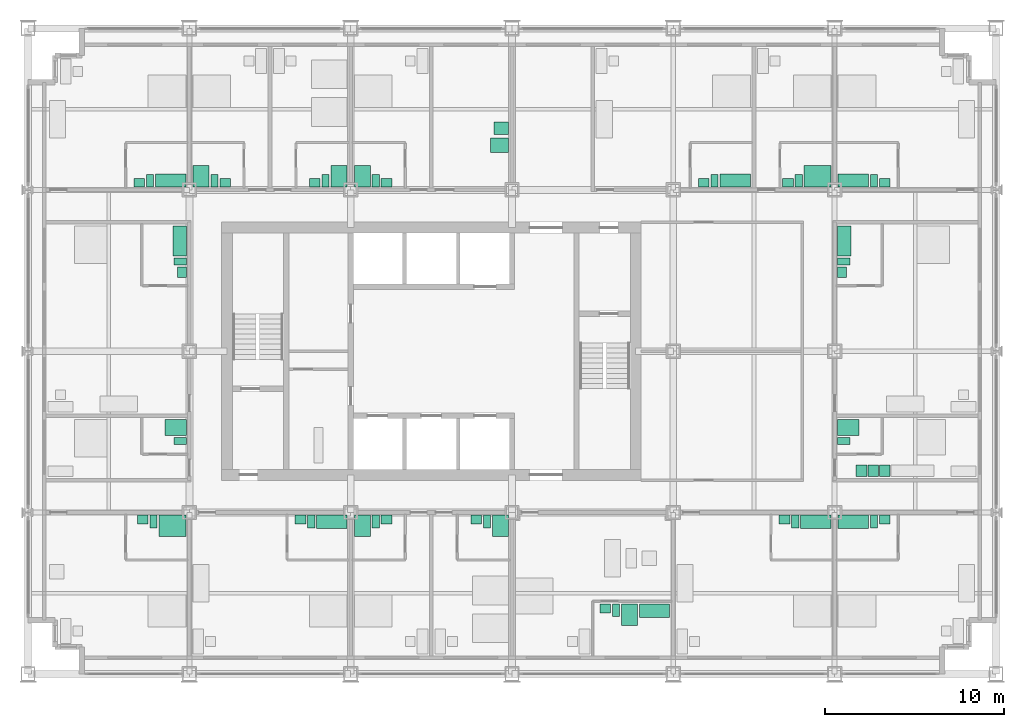
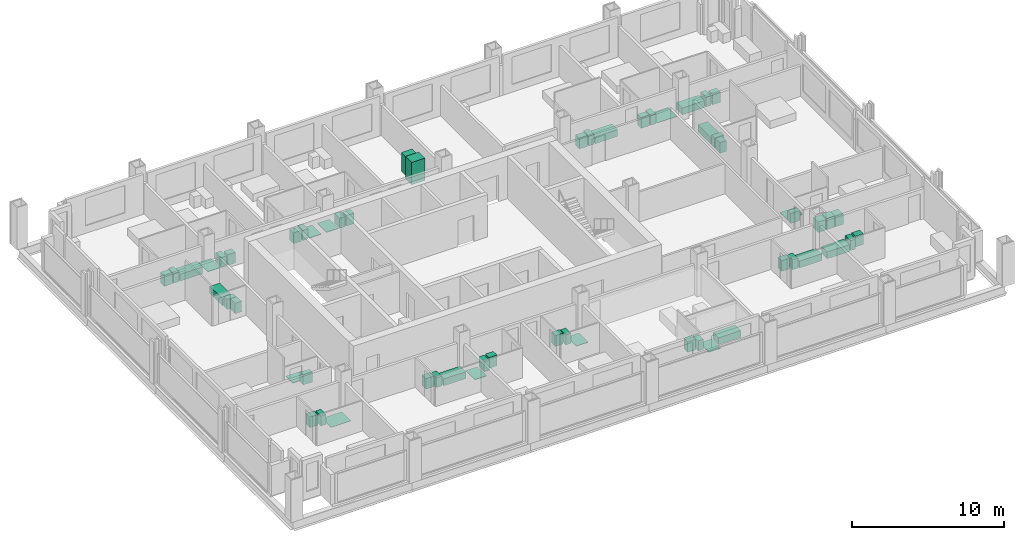
# One storey, part 17 of 18: 53 sanitary terminals, 5 electric appliances.
"""IFC4 building model written with IfcOpenShell, lengths in metres."""

from ifc_helpers import new_model, si_unit, direction, frame, origin, origin_2d, place, context, subcontext, project, spatial, rectangle, extrude, element, save


model = new_model("IFC4")

# Units and contexts
model_context = context("Model", 3, precision=1e-05, world=origin(), true_north=direction((0.0, 1.0)))
body_context = subcontext(model_context, "Body", "Model", "MODEL_VIEW")
ifc_project = project(units=[si_unit("LENGTHUNIT", "METRE"), si_unit("AREAUNIT", "SQUARE_METRE"), si_unit("VOLUMEUNIT", "CUBIC_METRE"), si_unit("PLANEANGLEUNIT", "RADIAN"), si_unit("MASSUNIT", "GRAM", prefix="KILO")], contexts=[model_context])

# Site, building, storey
site_placement = place(None, origin())
site = spatial("IfcSite", under=ifc_project, at=site_placement, CompositionType="ELEMENT")
building_placement = place(site_placement, origin())
building = spatial("IfcBuilding", under=site, at=building_placement, Name="Loomwork Tower", CompositionType="ELEMENT")
storey_placement = place(building_placement, frame((0.0, 0.0, 65.39990234375)))
storey = spatial("IfcBuildingStorey", under=building, at=storey_placement, Name="L16", CompositionType="ELEMENT", Elevation=65.39990234375)

# Sanitary terminals
sanitary_terminal_1_placement = place(storey_placement, frame((8.050048828125, 8.25, 0.0), z_axis=(0.0, 0.0, 1.0), x_axis=(1.0, 0.0, 0.0)))
element("IfcSanitaryTerminal", 1, at=sanitary_terminal_1_placement, inside=storey, Name="Roll-in shower floor L16", PredefinedType="SHOWER", context=body_context, shape_type="SweptSolid", body=[
    extrude(rectangle(XDim=1.5, YDim=1.199951171875, at=origin_2d()), origin(), (0.0, 0.0, 1.0), 0.030029296875),
])
sanitary_terminal_2_placement = place(storey_placement, frame((7.0, 8.5, 0.0), z_axis=(0.0, 0.0, 1.0), x_axis=(1.0, 0.0, 0.0)))
element("IfcSanitaryTerminal", 2, at=sanitary_terminal_2_placement, inside=storey, Name="WC L16", PredefinedType="TOILETPAN", context=body_context, shape_type="SweptSolid", body=[
    extrude(rectangle(XDim=0.39990234375, YDim=0.699951171875, at=origin_2d()), origin(), (0.0, 0.0, 1.0), 0.800048828125),
])
sanitary_terminal_3_placement = place(storey_placement, frame((6.39990234375, 8.60009765625, 0.0), z_axis=(0.0, 0.0, 1.0), x_axis=(1.0, 0.0, 0.0)))
element("IfcSanitaryTerminal", 3, at=sanitary_terminal_3_placement, inside=storey, Name="Basin vanity L16", PredefinedType="WASHHANDBASIN", context=body_context, shape_type="SweptSolid", body=[
    extrude(rectangle(XDim=0.60009765625, YDim=0.5, at=origin_2d()), origin(), (0.0, 0.0, 1.0), 0.85009765625),
])
sanitary_terminal_4_placement = place(storey_placement, frame((16.949951171875, 8.47509765625, 0.0), z_axis=(0.0, 0.0, 1.0), x_axis=(1.0, 0.0, 0.0)))
element("IfcSanitaryTerminal", 4, at=sanitary_terminal_4_placement, inside=storey, Name="Bath L16", PredefinedType="BATH", context=body_context, shape_type="SweptSolid", body=[
    extrude(rectangle(XDim=1.699951171875, YDim=0.75, at=origin_2d()), origin(), (0.0, 0.0, 1.0), 0.550048828125),
])
sanitary_terminal_5_placement = place(storey_placement, frame((15.800048828125, 8.5, 0.0), z_axis=(0.0, 0.0, 1.0), x_axis=(1.0, 0.0, 0.0)))
element("IfcSanitaryTerminal", 5, at=sanitary_terminal_5_placement, inside=storey, Name="WC L16", PredefinedType="TOILETPAN", context=body_context, shape_type="SweptSolid", body=[
    extrude(rectangle(XDim=0.39990234375, YDim=0.699951171875, at=origin_2d()), origin(), (0.0, 0.0, 1.0), 0.800048828125),
])
sanitary_terminal_6_placement = place(storey_placement, frame((15.199951171875, 8.60009765625, 0.0), z_axis=(0.0, 0.0, 1.0), x_axis=(1.0, 0.0, 0.0)))
element("IfcSanitaryTerminal", 6, at=sanitary_terminal_6_placement, inside=storey, Name="Basin vanity L16", PredefinedType="WASHHANDBASIN", context=body_context, shape_type="SweptSolid", body=[
    extrude(rectangle(XDim=0.60009765625, YDim=0.5, at=origin_2d()), origin(), (0.0, 0.0, 1.0), 0.85009765625),
])
sanitary_terminal_7_placement = place(storey_placement, frame((18.64990234375, 8.25, 0.0), z_axis=(0.0, 0.0, 1.0), x_axis=(1.0, 0.0, 0.0)))
element("IfcSanitaryTerminal", 7, at=sanitary_terminal_7_placement, inside=storey, Name="Shower tray L16", PredefinedType="SHOWER", context=body_context, shape_type="SweptSolid", body=[
    extrude(rectangle(XDim=0.89990234375, YDim=1.199951171875, at=origin_2d()), origin(), (0.0, 0.0, 1.0), 0.050048828125),
])
sanitary_terminal_8_placement = place(storey_placement, frame((19.39990234375, 8.5, 0.0), z_axis=(0.0, 0.0, 1.0), x_axis=(1.0, 0.0, 0.0)))
element("IfcSanitaryTerminal", 8, at=sanitary_terminal_8_placement, inside=storey, Name="WC L16", PredefinedType="TOILETPAN", context=body_context, shape_type="SweptSolid", body=[
    extrude(rectangle(XDim=0.39990234375, YDim=0.699951171875, at=origin_2d()), origin(), (0.0, 0.0, 1.0), 0.800048828125),
])
sanitary_terminal_9_placement = place(storey_placement, frame((20.0, 8.60009765625, 0.0), z_axis=(0.0, 0.0, 1.0), x_axis=(1.0, 0.0, 0.0)))
element("IfcSanitaryTerminal", 9, at=sanitary_terminal_9_placement, inside=storey, Name="Basin vanity L16", PredefinedType="WASHHANDBASIN", context=body_context, shape_type="SweptSolid", body=[
    extrude(rectangle(XDim=0.60009765625, YDim=0.5, at=origin_2d()), origin(), (0.0, 0.0, 1.0), 0.85009765625),
])
sanitary_terminal_10_placement = place(storey_placement, frame((26.35009765625, 8.25, 0.0), z_axis=(0.0, 0.0, 1.0), x_axis=(1.0, 0.0, 0.0)))
element("IfcSanitaryTerminal", 10, at=sanitary_terminal_10_placement, inside=storey, Name="Shower tray L16", PredefinedType="SHOWER", context=body_context, shape_type="SweptSolid", body=[
    extrude(rectangle(XDim=0.89990234375, YDim=1.199951171875, at=origin_2d()), origin(), (0.0, 0.0, 1.0), 0.050048828125),
])
sanitary_terminal_11_placement = place(storey_placement, frame((25.60009765625, 8.5, 0.0), z_axis=(0.0, 0.0, 1.0), x_axis=(1.0, 0.0, 0.0)))
element("IfcSanitaryTerminal", 11, at=sanitary_terminal_11_placement, inside=storey, Name="WC L16", PredefinedType="TOILETPAN", context=body_context, shape_type="SweptSolid", body=[
    extrude(rectangle(XDim=0.39990234375, YDim=0.699951171875, at=origin_2d()), origin(), (0.0, 0.0, 1.0), 0.800048828125),
])
sanitary_terminal_12_placement = place(storey_placement, frame((25.0, 8.60009765625, 0.0), z_axis=(0.0, 0.0, 1.0), x_axis=(1.0, 0.0, 0.0)))
element("IfcSanitaryTerminal", 12, at=sanitary_terminal_12_placement, inside=storey, Name="Basin vanity L16", PredefinedType="WASHHANDBASIN", context=body_context, shape_type="SweptSolid", body=[
    extrude(rectangle(XDim=0.60009765625, YDim=0.5, at=origin_2d()), origin(), (0.0, 0.0, 1.0), 0.85009765625),
])
sanitary_terminal_13_placement = place(storey_placement, frame((34.949951171875, 3.52490234375, 0.0), z_axis=(0.0, 0.0, 1.0), x_axis=(1.0, 0.0, 0.0)))
element("IfcSanitaryTerminal", 13, at=sanitary_terminal_13_placement, inside=storey, Name="Bath L16", PredefinedType="BATH", context=body_context, shape_type="SweptSolid", body=[
    extrude(rectangle(XDim=1.699951171875, YDim=0.75, at=origin_2d()), origin(), (0.0, 0.0, 1.0), 0.550048828125),
])
sanitary_terminal_14_placement = place(storey_placement, frame((33.550048828125, 3.300048828125, 0.0), z_axis=(0.0, 0.0, 1.0), x_axis=(1.0, 0.0, 0.0)))
element("IfcSanitaryTerminal", 14, at=sanitary_terminal_14_placement, inside=storey, Name="Shower tray L16", PredefinedType="SHOWER", context=body_context, shape_type="SweptSolid", body=[
    extrude(rectangle(XDim=0.89990234375, YDim=1.199951171875, at=origin_2d()), origin(), (0.0, 0.0, 1.0), 0.050048828125),
])
sanitary_terminal_15_placement = place(storey_placement, frame((32.800048828125, 3.550048828125, 0.0), z_axis=(0.0, 0.0, 1.0), x_axis=(1.0, 0.0, 0.0)))
element("IfcSanitaryTerminal", 15, at=sanitary_terminal_15_placement, inside=storey, Name="WC L16", PredefinedType="TOILETPAN", context=body_context, shape_type="SweptSolid", body=[
    extrude(rectangle(XDim=0.39990234375, YDim=0.699951171875, at=origin_2d()), origin(), (0.0, 0.0, 1.0), 0.800048828125),
])
sanitary_terminal_16_placement = place(storey_placement, frame((32.199951171875, 3.64990234375, 0.0), z_axis=(0.0, 0.0, 1.0), x_axis=(1.0, 0.0, 0.0)))
element("IfcSanitaryTerminal", 16, at=sanitary_terminal_16_placement, inside=storey, Name="Basin vanity L16", PredefinedType="WASHHANDBASIN", context=body_context, shape_type="SweptSolid", body=[
    extrude(rectangle(XDim=0.60009765625, YDim=0.5, at=origin_2d()), origin(), (0.0, 0.0, 1.0), 0.85009765625),
])
sanitary_terminal_17_placement = place(storey_placement, frame((43.949951171875, 8.47509765625, 0.0), z_axis=(0.0, 0.0, 1.0), x_axis=(1.0, 0.0, 0.0)))
element("IfcSanitaryTerminal", 17, at=sanitary_terminal_17_placement, inside=storey, Name="Bath L16", PredefinedType="BATH", context=body_context, shape_type="SweptSolid", body=[
    extrude(rectangle(XDim=1.699951171875, YDim=0.75, at=origin_2d()), origin(), (0.0, 0.0, 1.0), 0.550048828125),
])
sanitary_terminal_18_placement = place(storey_placement, frame((42.800048828125, 8.5, 0.0), z_axis=(0.0, 0.0, 1.0), x_axis=(1.0, 0.0, 0.0)))
element("IfcSanitaryTerminal", 18, at=sanitary_terminal_18_placement, inside=storey, Name="WC L16", PredefinedType="TOILETPAN", context=body_context, shape_type="SweptSolid", body=[
    extrude(rectangle(XDim=0.39990234375, YDim=0.699951171875, at=origin_2d()), origin(), (0.0, 0.0, 1.0), 0.800048828125),
])
sanitary_terminal_19_placement = place(storey_placement, frame((42.199951171875, 8.60009765625, 0.0), z_axis=(0.0, 0.0, 1.0), x_axis=(1.0, 0.0, 0.0)))
element("IfcSanitaryTerminal", 19, at=sanitary_terminal_19_placement, inside=storey, Name="Basin vanity L16", PredefinedType="WASHHANDBASIN", context=body_context, shape_type="SweptSolid", body=[
    extrude(rectangle(XDim=0.60009765625, YDim=0.5, at=origin_2d()), origin(), (0.0, 0.0, 1.0), 0.85009765625),
])
sanitary_terminal_20_placement = place(storey_placement, frame((46.050048828125, 8.47509765625, 0.0), z_axis=(0.0, 0.0, 1.0), x_axis=(1.0, 0.0, 0.0)))
element("IfcSanitaryTerminal", 20, at=sanitary_terminal_20_placement, inside=storey, Name="Bath L16", PredefinedType="BATH", context=body_context, shape_type="SweptSolid", body=[
    extrude(rectangle(XDim=1.699951171875, YDim=0.75, at=origin_2d()), origin(), (0.0, 0.0, 1.0), 0.550048828125),
])
sanitary_terminal_21_placement = place(storey_placement, frame((47.199951171875, 8.5, 0.0), z_axis=(0.0, 0.0, 1.0), x_axis=(1.0, 0.0, 0.0)))
element("IfcSanitaryTerminal", 21, at=sanitary_terminal_21_placement, inside=storey, Name="WC L16", PredefinedType="TOILETPAN", context=body_context, shape_type="SweptSolid", body=[
    extrude(rectangle(XDim=0.39990234375, YDim=0.699951171875, at=origin_2d()), origin(), (0.0, 0.0, 1.0), 0.800048828125),
])
sanitary_terminal_22_placement = place(storey_placement, frame((47.800048828125, 8.60009765625, 0.0), z_axis=(0.0, 0.0, 1.0), x_axis=(1.0, 0.0, 0.0)))
element("IfcSanitaryTerminal", 22, at=sanitary_terminal_22_placement, inside=storey, Name="Basin vanity L16", PredefinedType="WASHHANDBASIN", context=body_context, shape_type="SweptSolid", body=[
    extrude(rectangle(XDim=0.60009765625, YDim=0.5, at=origin_2d()), origin(), (0.0, 0.0, 1.0), 0.85009765625),
])
sanitary_terminal_23_placement = place(storey_placement, frame((7.949951171875, 27.52490234375, 0.0), z_axis=(0.0, 0.0, 1.0), x_axis=(1.0, 0.0, 0.0)))
element("IfcSanitaryTerminal", 23, at=sanitary_terminal_23_placement, inside=storey, Name="Bath L16", PredefinedType="BATH", context=body_context, shape_type="SweptSolid", body=[
    extrude(rectangle(XDim=1.699951171875, YDim=0.75, at=origin_2d()), origin(), (0.0, 0.0, 1.0), 0.550048828125),
])
sanitary_terminal_24_placement = place(storey_placement, frame((6.800048828125, 27.5, 0.0), z_axis=(0.0, 0.0, 1.0), x_axis=(1.0, 0.0, 0.0)))
element("IfcSanitaryTerminal", 24, at=sanitary_terminal_24_placement, inside=storey, Name="WC L16", PredefinedType="TOILETPAN", context=body_context, shape_type="SweptSolid", body=[
    extrude(rectangle(XDim=0.39990234375, YDim=0.699951171875, at=origin_2d()), origin(), (0.0, 0.0, 1.0), 0.800048828125),
])
sanitary_terminal_25_placement = place(storey_placement, frame((6.199951171875, 27.39990234375, 0.0), z_axis=(0.0, 0.0, 1.0), x_axis=(1.0, 0.0, 0.0)))
element("IfcSanitaryTerminal", 25, at=sanitary_terminal_25_placement, inside=storey, Name="Basin vanity L16", PredefinedType="WASHHANDBASIN", context=body_context, shape_type="SweptSolid", body=[
    extrude(rectangle(XDim=0.60009765625, YDim=0.5, at=origin_2d()), origin(), (0.0, 0.0, 1.0), 0.85009765625),
])
sanitary_terminal_26_placement = place(storey_placement, frame((9.64990234375, 27.75, 0.0), z_axis=(0.0, 0.0, 1.0), x_axis=(1.0, 0.0, 0.0)))
element("IfcSanitaryTerminal", 26, at=sanitary_terminal_26_placement, inside=storey, Name="Shower tray L16", PredefinedType="SHOWER", context=body_context, shape_type="SweptSolid", body=[
    extrude(rectangle(XDim=0.89990234375, YDim=1.199951171875, at=origin_2d()), origin(), (0.0, 0.0, 1.0), 0.050048828125),
])
sanitary_terminal_27_placement = place(storey_placement, frame((10.39990234375, 27.5, 0.0), z_axis=(0.0, 0.0, 1.0), x_axis=(1.0, 0.0, 0.0)))
element("IfcSanitaryTerminal", 27, at=sanitary_terminal_27_placement, inside=storey, Name="WC L16", PredefinedType="TOILETPAN", context=body_context, shape_type="SweptSolid", body=[
    extrude(rectangle(XDim=0.39990234375, YDim=0.699951171875, at=origin_2d()), origin(), (0.0, 0.0, 1.0), 0.800048828125),
])
sanitary_terminal_28_placement = place(storey_placement, frame((11.0, 27.39990234375, 0.0), z_axis=(0.0, 0.0, 1.0), x_axis=(1.0, 0.0, 0.0)))
element("IfcSanitaryTerminal", 28, at=sanitary_terminal_28_placement, inside=storey, Name="Basin vanity L16", PredefinedType="WASHHANDBASIN", context=body_context, shape_type="SweptSolid", body=[
    extrude(rectangle(XDim=0.60009765625, YDim=0.5, at=origin_2d()), origin(), (0.0, 0.0, 1.0), 0.85009765625),
])
sanitary_terminal_29_placement = place(storey_placement, frame((17.35009765625, 27.75, 0.0), z_axis=(0.0, 0.0, 1.0), x_axis=(1.0, 0.0, 0.0)))
element("IfcSanitaryTerminal", 29, at=sanitary_terminal_29_placement, inside=storey, Name="Shower tray L16", PredefinedType="SHOWER", context=body_context, shape_type="SweptSolid", body=[
    extrude(rectangle(XDim=0.89990234375, YDim=1.199951171875, at=origin_2d()), origin(), (0.0, 0.0, 1.0), 0.050048828125),
])
sanitary_terminal_30_placement = place(storey_placement, frame((16.60009765625, 27.5, 0.0), z_axis=(0.0, 0.0, 1.0), x_axis=(1.0, 0.0, 0.0)))
element("IfcSanitaryTerminal", 30, at=sanitary_terminal_30_placement, inside=storey, Name="WC L16", PredefinedType="TOILETPAN", context=body_context, shape_type="SweptSolid", body=[
    extrude(rectangle(XDim=0.39990234375, YDim=0.699951171875, at=origin_2d()), origin(), (0.0, 0.0, 1.0), 0.800048828125),
])
sanitary_terminal_31_placement = place(storey_placement, frame((16.0, 27.39990234375, 0.0), z_axis=(0.0, 0.0, 1.0), x_axis=(1.0, 0.0, 0.0)))
element("IfcSanitaryTerminal", 31, at=sanitary_terminal_31_placement, inside=storey, Name="Basin vanity L16", PredefinedType="WASHHANDBASIN", context=body_context, shape_type="SweptSolid", body=[
    extrude(rectangle(XDim=0.60009765625, YDim=0.5, at=origin_2d()), origin(), (0.0, 0.0, 1.0), 0.85009765625),
])
sanitary_terminal_32_placement = place(storey_placement, frame((18.64990234375, 27.75, 0.0), z_axis=(0.0, 0.0, 1.0), x_axis=(1.0, 0.0, 0.0)))
element("IfcSanitaryTerminal", 32, at=sanitary_terminal_32_placement, inside=storey, Name="Shower tray L16", PredefinedType="SHOWER", context=body_context, shape_type="SweptSolid", body=[
    extrude(rectangle(XDim=0.89990234375, YDim=1.199951171875, at=origin_2d()), origin(), (0.0, 0.0, 1.0), 0.050048828125),
])
sanitary_terminal_33_placement = place(storey_placement, frame((19.39990234375, 27.5, 0.0), z_axis=(0.0, 0.0, 1.0), x_axis=(1.0, 0.0, 0.0)))
element("IfcSanitaryTerminal", 33, at=sanitary_terminal_33_placement, inside=storey, Name="WC L16", PredefinedType="TOILETPAN", context=body_context, shape_type="SweptSolid", body=[
    extrude(rectangle(XDim=0.39990234375, YDim=0.699951171875, at=origin_2d()), origin(), (0.0, 0.0, 1.0), 0.800048828125),
])
sanitary_terminal_34_placement = place(storey_placement, frame((20.0, 27.39990234375, 0.0), z_axis=(0.0, 0.0, 1.0), x_axis=(1.0, 0.0, 0.0)))
element("IfcSanitaryTerminal", 34, at=sanitary_terminal_34_placement, inside=storey, Name="Basin vanity L16", PredefinedType="WASHHANDBASIN", context=body_context, shape_type="SweptSolid", body=[
    extrude(rectangle(XDim=0.60009765625, YDim=0.5, at=origin_2d()), origin(), (0.0, 0.0, 1.0), 0.85009765625),
])

# Electric appliances
electric_appliance_1_placement = place(storey_placement, frame((26.300048828125, 29.5, 0.0), z_axis=(0.0, 0.0, 1.0), x_axis=(1.0, 0.0, 0.0)))
element("IfcElectricAppliance", 35, at=electric_appliance_1_placement, inside=storey, Name="Vending machine L16", PredefinedType="VENDINGMACHINE", context=body_context, shape_type="SweptSolid", body=[
    extrude(rectangle(XDim=1.0, YDim=0.800048828125, at=origin_2d()), origin(), (0.0, 0.0, 1.0), 1.800048828125),
])
electric_appliance_2_placement = place(storey_placement, frame((26.39990234375, 30.449951171875, 0.0), z_axis=(0.0, 0.0, 1.0), x_axis=(1.0, 0.0, 0.0)))
element("IfcElectricAppliance", 36, at=electric_appliance_2_placement, inside=storey, Name="Ice machine L16", PredefinedType="FREEZER", context=body_context, shape_type="SweptSolid", body=[
    extrude(rectangle(XDim=0.800048828125, YDim=0.699951171875, at=origin_2d()), origin(), (0.0, 0.0, 1.0), 1.5),
])

# Sanitary terminals
sanitary_terminal_35_placement = place(storey_placement, frame((39.449951171875, 27.52490234375, 0.0), z_axis=(0.0, 0.0, 1.0), x_axis=(1.0, 0.0, 0.0)))
element("IfcSanitaryTerminal", 37, at=sanitary_terminal_35_placement, inside=storey, Name="Bath L16", PredefinedType="BATH", context=body_context, shape_type="SweptSolid", body=[
    extrude(rectangle(XDim=1.699951171875, YDim=0.75, at=origin_2d()), origin(), (0.0, 0.0, 1.0), 0.550048828125),
])
sanitary_terminal_36_placement = place(storey_placement, frame((38.300048828125, 27.5, 0.0), z_axis=(0.0, 0.0, 1.0), x_axis=(1.0, 0.0, 0.0)))
element("IfcSanitaryTerminal", 38, at=sanitary_terminal_36_placement, inside=storey, Name="WC L16", PredefinedType="TOILETPAN", context=body_context, shape_type="SweptSolid", body=[
    extrude(rectangle(XDim=0.39990234375, YDim=0.699951171875, at=origin_2d()), origin(), (0.0, 0.0, 1.0), 0.800048828125),
])
sanitary_terminal_37_placement = place(storey_placement, frame((37.699951171875, 27.39990234375, 0.0), z_axis=(0.0, 0.0, 1.0), x_axis=(1.0, 0.0, 0.0)))
element("IfcSanitaryTerminal", 39, at=sanitary_terminal_37_placement, inside=storey, Name="Basin vanity L16", PredefinedType="WASHHANDBASIN", context=body_context, shape_type="SweptSolid", body=[
    extrude(rectangle(XDim=0.60009765625, YDim=0.5, at=origin_2d()), origin(), (0.0, 0.0, 1.0), 0.85009765625),
])
sanitary_terminal_38_placement = place(storey_placement, frame((44.050048828125, 27.75, 0.0), z_axis=(0.0, 0.0, 1.0), x_axis=(1.0, 0.0, 0.0)))
element("IfcSanitaryTerminal", 40, at=sanitary_terminal_38_placement, inside=storey, Name="Roll-in shower floor L16", PredefinedType="SHOWER", context=body_context, shape_type="SweptSolid", body=[
    extrude(rectangle(XDim=1.5, YDim=1.199951171875, at=origin_2d()), origin(), (0.0, 0.0, 1.0), 0.030029296875),
])
sanitary_terminal_39_placement = place(storey_placement, frame((43.0, 27.5, 0.0), z_axis=(0.0, 0.0, 1.0), x_axis=(1.0, 0.0, 0.0)))
element("IfcSanitaryTerminal", 41, at=sanitary_terminal_39_placement, inside=storey, Name="WC L16", PredefinedType="TOILETPAN", context=body_context, shape_type="SweptSolid", body=[
    extrude(rectangle(XDim=0.39990234375, YDim=0.699951171875, at=origin_2d()), origin(), (0.0, 0.0, 1.0), 0.800048828125),
])
sanitary_terminal_40_placement = place(storey_placement, frame((42.39990234375, 27.39990234375, 0.0), z_axis=(0.0, 0.0, 1.0), x_axis=(1.0, 0.0, 0.0)))
element("IfcSanitaryTerminal", 42, at=sanitary_terminal_40_placement, inside=storey, Name="Basin vanity L16", PredefinedType="WASHHANDBASIN", context=body_context, shape_type="SweptSolid", body=[
    extrude(rectangle(XDim=0.60009765625, YDim=0.5, at=origin_2d()), origin(), (0.0, 0.0, 1.0), 0.85009765625),
])
sanitary_terminal_41_placement = place(storey_placement, frame((46.050048828125, 27.52490234375, 0.0), z_axis=(0.0, 0.0, 1.0), x_axis=(1.0, 0.0, 0.0)))
element("IfcSanitaryTerminal", 43, at=sanitary_terminal_41_placement, inside=storey, Name="Bath L16", PredefinedType="BATH", context=body_context, shape_type="SweptSolid", body=[
    extrude(rectangle(XDim=1.699951171875, YDim=0.75, at=origin_2d()), origin(), (0.0, 0.0, 1.0), 0.550048828125),
])
sanitary_terminal_42_placement = place(storey_placement, frame((47.199951171875, 27.5, 0.0), z_axis=(0.0, 0.0, 1.0), x_axis=(1.0, 0.0, 0.0)))
element("IfcSanitaryTerminal", 44, at=sanitary_terminal_42_placement, inside=storey, Name="WC L16", PredefinedType="TOILETPAN", context=body_context, shape_type="SweptSolid", body=[
    extrude(rectangle(XDim=0.39990234375, YDim=0.699951171875, at=origin_2d()), origin(), (0.0, 0.0, 1.0), 0.800048828125),
])
sanitary_terminal_43_placement = place(storey_placement, frame((47.800048828125, 27.39990234375, 0.0), z_axis=(0.0, 0.0, 1.0), x_axis=(1.0, 0.0, 0.0)))
element("IfcSanitaryTerminal", 45, at=sanitary_terminal_43_placement, inside=storey, Name="Basin vanity L16", PredefinedType="WASHHANDBASIN", context=body_context, shape_type="SweptSolid", body=[
    extrude(rectangle(XDim=0.60009765625, YDim=0.5, at=origin_2d()), origin(), (0.0, 0.0, 1.0), 0.85009765625),
])
sanitary_terminal_44_placement = place(storey_placement, frame((8.25, 13.75, 0.0), z_axis=(0.0, 0.0, 1.0), x_axis=(1.0, 0.0, 0.0)))
element("IfcSanitaryTerminal", 46, at=sanitary_terminal_44_placement, inside=storey, Name="Shower tray L16", PredefinedType="SHOWER", context=body_context, shape_type="SweptSolid", body=[
    extrude(rectangle(XDim=1.199951171875, YDim=0.89990234375, at=origin_2d()), origin(), (0.0, 0.0, 1.0), 0.050048828125),
])
sanitary_terminal_45_placement = place(storey_placement, frame((8.5, 13.0, 0.0), z_axis=(0.0, 0.0, 1.0), x_axis=(1.0, 0.0, 0.0)))
element("IfcSanitaryTerminal", 47, at=sanitary_terminal_45_placement, inside=storey, Name="WC L16", PredefinedType="TOILETPAN", context=body_context, shape_type="SweptSolid", body=[
    extrude(rectangle(XDim=0.699951171875, YDim=0.39990234375, at=origin_2d()), origin(), (0.0, 0.0, 1.0), 0.800048828125),
])
sanitary_terminal_46_placement = place(storey_placement, frame((8.47509765625, 24.14990234375, 0.0), z_axis=(0.0, 0.0, 1.0), x_axis=(1.0, 0.0, 0.0)))
element("IfcSanitaryTerminal", 48, at=sanitary_terminal_46_placement, inside=storey, Name="Bath L16", PredefinedType="BATH", context=body_context, shape_type="SweptSolid", body=[
    extrude(rectangle(XDim=0.75, YDim=1.699951171875, at=origin_2d()), origin(), (0.0, 0.0, 1.0), 0.550048828125),
])
sanitary_terminal_47_placement = place(storey_placement, frame((8.5, 23.0, 0.0), z_axis=(0.0, 0.0, 1.0), x_axis=(1.0, 0.0, 0.0)))
element("IfcSanitaryTerminal", 49, at=sanitary_terminal_47_placement, inside=storey, Name="WC L16", PredefinedType="TOILETPAN", context=body_context, shape_type="SweptSolid", body=[
    extrude(rectangle(XDim=0.699951171875, YDim=0.39990234375, at=origin_2d()), origin(), (0.0, 0.0, 1.0), 0.800048828125),
])
sanitary_terminal_48_placement = place(storey_placement, frame((8.60009765625, 22.39990234375, 0.0), z_axis=(0.0, 0.0, 1.0), x_axis=(1.0, 0.0, 0.0)))
element("IfcSanitaryTerminal", 50, at=sanitary_terminal_48_placement, inside=storey, Name="Basin vanity L16", PredefinedType="WASHHANDBASIN", context=body_context, shape_type="SweptSolid", body=[
    extrude(rectangle(XDim=0.5, YDim=0.60009765625, at=origin_2d()), origin(), (0.0, 0.0, 1.0), 0.85009765625),
])
sanitary_terminal_49_placement = place(storey_placement, frame((45.75, 13.75, 0.0), z_axis=(0.0, 0.0, 1.0), x_axis=(1.0, 0.0, 0.0)))
element("IfcSanitaryTerminal", 51, at=sanitary_terminal_49_placement, inside=storey, Name="Shower tray L16", PredefinedType="SHOWER", context=body_context, shape_type="SweptSolid", body=[
    extrude(rectangle(XDim=1.199951171875, YDim=0.89990234375, at=origin_2d()), origin(), (0.0, 0.0, 1.0), 0.050048828125),
])
sanitary_terminal_50_placement = place(storey_placement, frame((45.5, 13.0, 0.0), z_axis=(0.0, 0.0, 1.0), x_axis=(1.0, 0.0, 0.0)))
element("IfcSanitaryTerminal", 52, at=sanitary_terminal_50_placement, inside=storey, Name="WC L16", PredefinedType="TOILETPAN", context=body_context, shape_type="SweptSolid", body=[
    extrude(rectangle(XDim=0.699951171875, YDim=0.39990234375, at=origin_2d()), origin(), (0.0, 0.0, 1.0), 0.800048828125),
])

# Electric appliances
electric_appliance_3_placement = place(storey_placement, frame((46.5, 11.324951171875, 0.0), z_axis=(0.0, 0.0, 1.0), x_axis=(1.0, 0.0, 0.0)))
element("IfcElectricAppliance", 53, at=electric_appliance_3_placement, inside=storey, Name="Refrigerator L16", PredefinedType="REFRIGERATOR", context=body_context, shape_type="SweptSolid", body=[
    extrude(rectangle(XDim=0.60009765625, YDim=0.64990234375, at=origin_2d()), origin(), (0.0, 0.0, 1.0), 0.85009765625),
])
electric_appliance_4_placement = place(storey_placement, frame((47.14990234375, 11.324951171875, 0.000244140625), z_axis=(0.0, 0.0, 1.0), x_axis=(1.0, 0.0, 0.0)))
element("IfcElectricAppliance", 54, at=electric_appliance_4_placement, inside=storey, Name="Two-ring cooktop and oven L16", PredefinedType="ELECTRICCOOKER", context=body_context, shape_type="SweptSolid", body=[
    extrude(rectangle(XDim=0.60009765625, YDim=0.64990234375, at=origin_2d()), origin(), (0.0, 0.0, 1.0), 0.89990234375),
])
electric_appliance_5_placement = place(storey_placement, frame((47.800048828125, 11.324951171875, 0.0), z_axis=(0.0, 0.0, 1.0), x_axis=(1.0, 0.0, 0.0)))
element("IfcElectricAppliance", 55, at=electric_appliance_5_placement, inside=storey, Name="Dishwasher L16", PredefinedType="DISHWASHER", context=body_context, shape_type="SweptSolid", body=[
    extrude(rectangle(XDim=0.60009765625, YDim=0.64990234375, at=origin_2d()), origin(), (0.0, 0.0, 1.0), 0.85009765625),
])

# Sanitary terminals
sanitary_terminal_51_placement = place(storey_placement, frame((45.52490234375, 24.14990234375, 0.0), z_axis=(0.0, 0.0, 1.0), x_axis=(1.0, 0.0, 0.0)))
element("IfcSanitaryTerminal", 56, at=sanitary_terminal_51_placement, inside=storey, Name="Bath L16", PredefinedType="BATH", context=body_context, shape_type="SweptSolid", body=[
    extrude(rectangle(XDim=0.75, YDim=1.699951171875, at=origin_2d()), origin(), (0.0, 0.0, 1.0), 0.550048828125),
])
sanitary_terminal_52_placement = place(storey_placement, frame((45.5, 23.0, 0.0), z_axis=(0.0, 0.0, 1.0), x_axis=(1.0, 0.0, 0.0)))
element("IfcSanitaryTerminal", 57, at=sanitary_terminal_52_placement, inside=storey, Name="WC L16", PredefinedType="TOILETPAN", context=body_context, shape_type="SweptSolid", body=[
    extrude(rectangle(XDim=0.699951171875, YDim=0.39990234375, at=origin_2d()), origin(), (0.0, 0.0, 1.0), 0.800048828125),
])
sanitary_terminal_53_placement = place(storey_placement, frame((45.39990234375, 22.39990234375, 0.0), z_axis=(0.0, 0.0, 1.0), x_axis=(1.0, 0.0, 0.0)))
element("IfcSanitaryTerminal", 58, at=sanitary_terminal_53_placement, inside=storey, Name="Basin vanity L16", PredefinedType="WASHHANDBASIN", context=body_context, shape_type="SweptSolid", body=[
    extrude(rectangle(XDim=0.5, YDim=0.60009765625, at=origin_2d()), origin(), (0.0, 0.0, 1.0), 0.85009765625),
])

save(model, "model.ifc")
